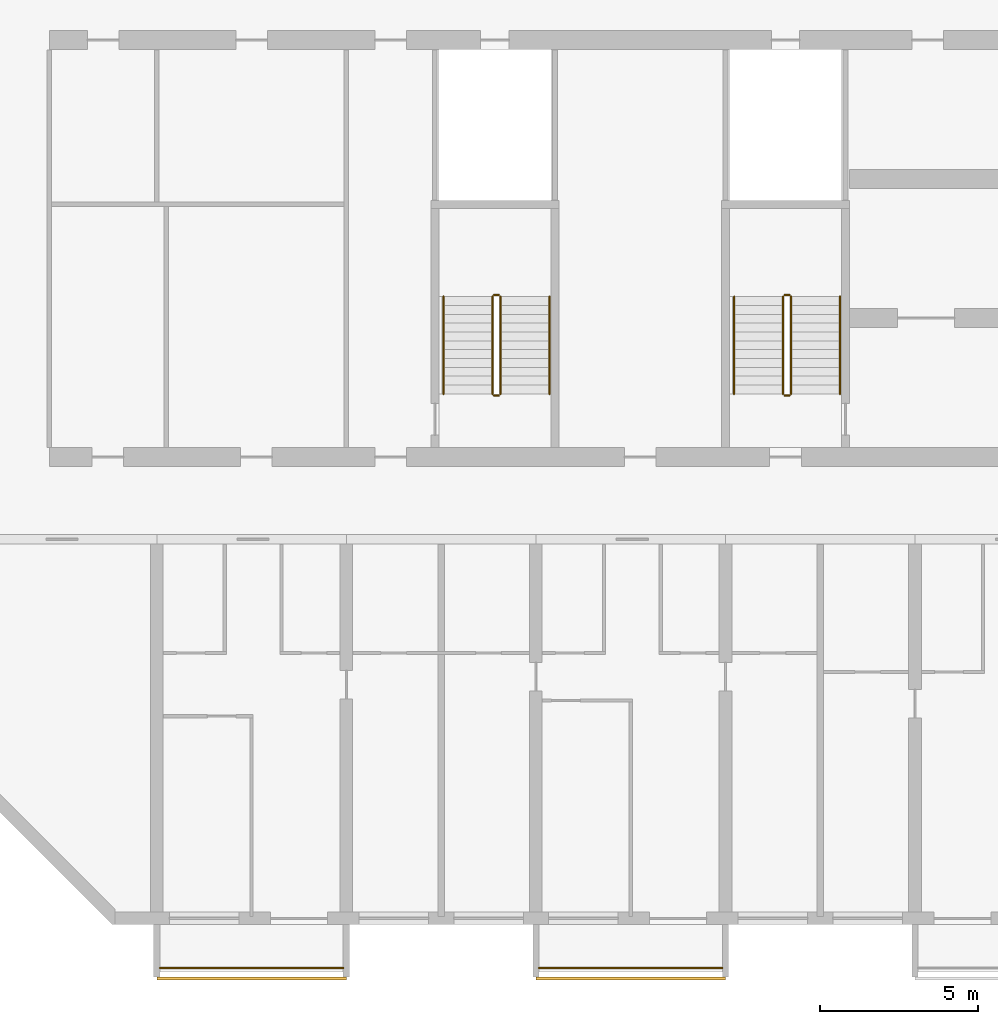
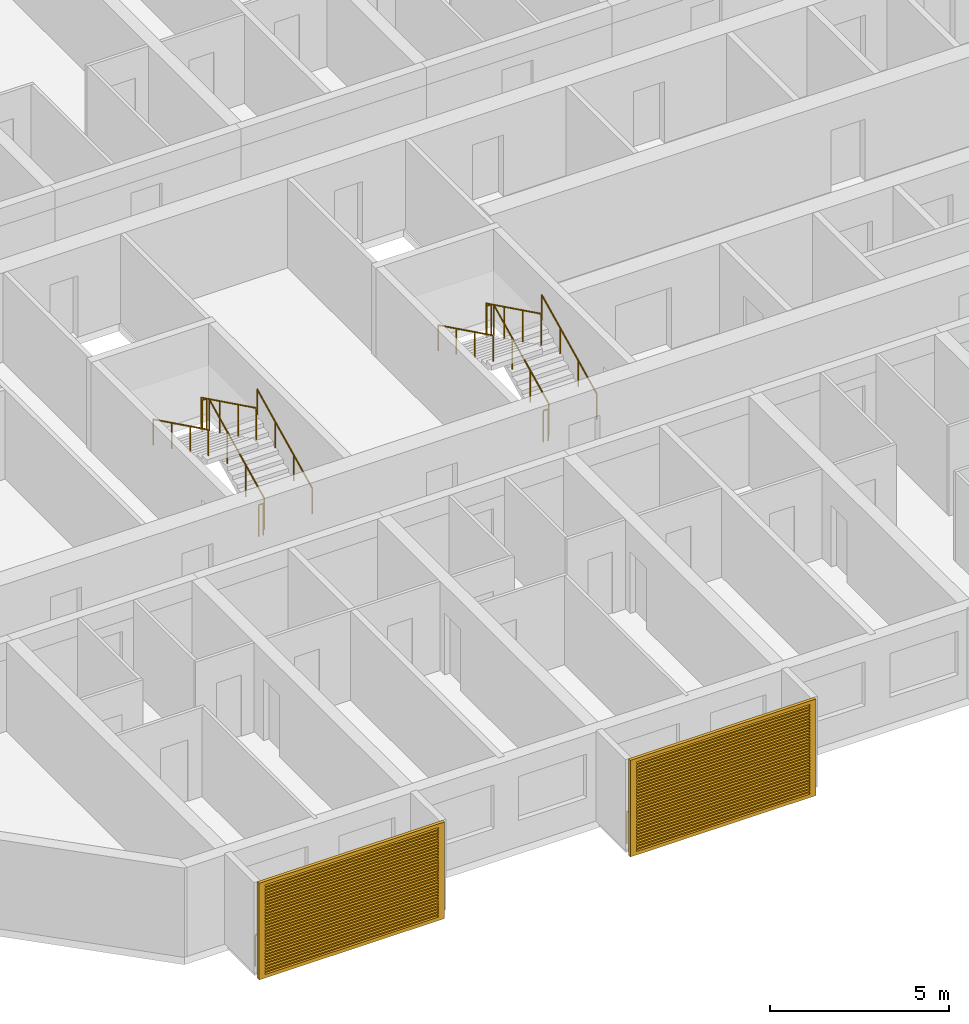
# One storey, part 18 of 39: 14 railings, 2 shading devices.
"""IFC4 building model written with IfcOpenShell, lengths in metres."""

from ifc_helpers import new_model, si_unit, direction, frame, origin, origin_2d, place, context, subcontext, project, spatial, polyline, circle, outline, extrude, source, transform, mapped, material, material_profile, profile_set, type_object, element, save


model = new_model("IFC4")

# Units and contexts
model_context = context("Model", 3, precision=1e-05, world=origin(), true_north=direction((0.0, 1.0)))
body_context = subcontext(model_context, "Body", "Model", "MODEL_VIEW")
ifc_project = project(units=[si_unit("LENGTHUNIT", "METRE"), si_unit("AREAUNIT", "SQUARE_METRE"), si_unit("VOLUMEUNIT", "CUBIC_METRE"), si_unit("PLANEANGLEUNIT", "RADIAN"), si_unit("MASSUNIT", "GRAM", prefix="KILO")], contexts=[model_context])

# Site, building, storey
site_placement = place(None, origin())
site = spatial("IfcSite", under=ifc_project, at=site_placement, CompositionType="ELEMENT")
building_placement = place(site_placement, origin())
building = spatial("IfcBuilding", under=site, at=building_placement, Name="Poui Terraces", CompositionType="ELEMENT")
storey_placement = place(building_placement, frame((0.0, 0.0, 56.39990234375)))
storey = spatial("IfcBuildingStorey", under=building, at=storey_placement, Name="L15", CompositionType="ELEMENT", Elevation=56.39990234375)

# Railings
ifc_material_1 = material(Name="Painted steel fretwork", Category="steel")
railing_type_1 = type_object("IfcRailingType", Name="BALCONY GUARD 1100", PredefinedType="GUARDRAIL", material=ifc_material_1)
for number, where, name in (
    (1, (12.10009765625, -1.570068359375, 0.0), "BALCONY GUARD"),
    (2, (24.10009765625, -1.570068359375, 0.0), "BALCONY GUARD"),
):
    element("IfcRailing", number, at=place(storey_placement, frame(where)), inside=storey, type_object=railing_type_1, Name=name, PredefinedType="GUARDRAIL", context=body_context, shape_type="SweptSolid", body=[
        extrude(circle(Radius=0.02392578125, at=origin_2d()), frame((0.0, 0.0, 1.076171875), z_axis=(1.0, 0.0, 0.0), x_axis=(0.0, 1.0, 0.0)), (0.0, 0.0, 1.0), 5.7998046875),
        extrude(circle(Radius=0.02099609375, at=origin_2d()), origin(), (0.0, 0.0, 1.0), 1.052001953125),
        extrude(circle(Radius=0.02099609375, at=origin_2d()), frame((0.966552734375, 0.0, 0.0)), (0.0, 0.0, 1.0), 1.052001953125),
        extrude(circle(Radius=0.02099609375, at=origin_2d()), frame((1.933349609375, 0.0, 0.0)), (0.0, 0.0, 1.0), 1.052001953125),
        extrude(circle(Radius=0.02099609375, at=origin_2d()), frame((2.89990234375, 0.0, 0.0)), (0.0, 0.0, 1.0), 1.052001953125),
        extrude(circle(Radius=0.02099609375, at=origin_2d()), frame((3.866455078125, 0.0, 0.0)), (0.0, 0.0, 1.0), 1.052001953125),
        extrude(circle(Radius=0.02099609375, at=origin_2d()), frame((4.833251953125, 0.0, 0.0)), (0.0, 0.0, 1.0), 1.052001953125),
        extrude(circle(Radius=0.02099609375, at=origin_2d()), frame((5.7998046875, 0.0, 0.0)), (0.0, 0.0, 1.0), 1.052001953125),
    ])
ifc_material_2 = material(Name="Galvanised steel balustrade", Category="steel")
railing_type_2 = type_object("IfcRailingType", Name="STAIR GUARD 1100", PredefinedType="GUARDRAIL", material=ifc_material_2)
railing_1_placement = place(storey_placement, frame((32.074951171875, 16.60009765625, 0.1376953125)))
element("IfcRailing", 3, at=railing_1_placement, inside=storey, type_object=railing_type_2, Name="L15 ST-CW stair guard 1", PredefinedType="GUARDRAIL", context=body_context, shape_type="SweptSolid", body=[
    extrude(circle(Radius=0.02392578125, at=origin_2d()), frame((0.0, 0.0, 1.076171875), z_axis=(0.0, 0.897606190399, 0.440798283751), x_axis=(-1.0, 0.0, 0.0)), (0.0, 0.0, 1.0), 3.43115234375),
    extrude(circle(Radius=0.02099609375, at=origin_2d()), origin(), (0.0, 0.0, 1.0), 1.052001953125),
    extrude(circle(Radius=0.02099609375, at=origin_2d()), frame((0.0, 1.026611328125, 0.504150390625)), (0.0, 0.0, 1.0), 1.052001953125),
    extrude(circle(Radius=0.02099609375, at=origin_2d()), frame((0.0, 2.05322265625, 1.00830078125)), (0.0, 0.0, 1.0), 1.052001953125),
    extrude(circle(Radius=0.02099609375, at=origin_2d()), frame((0.0, 3.079833984375, 1.512451171875)), (0.0, 0.0, 1.0), 1.052001953125),
])
railing_2_placement = place(storey_placement, frame((32.02490234375, 19.72998046875, 1.650146484375)))
element("IfcRailing", 4, at=railing_2_placement, inside=storey, type_object=railing_type_2, Name="L15 ST-CW stair guard 2", PredefinedType="GUARDRAIL", context=body_context, shape_type="SweptSolid", body=[
    extrude(circle(Radius=0.02392578125, at=origin_2d()), frame((0.0, 0.0, 1.076171875), z_axis=(-1.0, 0.0, 0.0), x_axis=(0.0, -1.0, 0.0)), (0.0, 0.0, 1.0), 0.14990234375),
    extrude(circle(Radius=0.02099609375, at=origin_2d()), origin(), (0.0, 0.0, 1.0), 1.052001953125),
    extrude(circle(Radius=0.02099609375, at=origin_2d()), frame((-0.14990234375, 0.0, 0.0)), (0.0, 0.0, 1.0), 1.052001953125),
])
railing_3_placement = place(storey_placement, frame((31.824951171875, 19.679931640625, 1.78759765625)))
element("IfcRailing", 5, at=railing_3_placement, inside=storey, type_object=railing_type_2, Name="L15 ST-CW stair guard 3", PredefinedType="GUARDRAIL", context=body_context, shape_type="SweptSolid", body=[
    extrude(circle(Radius=0.02392578125, at=origin_2d()), frame((0.0, 0.0, 1.076171875), z_axis=(0.0, -0.897606190399, 0.440798283751), x_axis=(1.0, 0.0, 0.0)), (0.0, 0.0, 1.0), 3.43115234375),
    extrude(circle(Radius=0.02099609375, at=origin_2d()), origin(), (0.0, 0.0, 1.0), 1.052001953125),
    extrude(circle(Radius=0.02099609375, at=origin_2d()), frame((0.0, -1.026611328125, 0.504150390625)), (0.0, 0.0, 1.0), 1.052001953125),
    extrude(circle(Radius=0.02099609375, at=origin_2d()), frame((0.0, -2.05322265625, 1.00830078125)), (0.0, 0.0, 1.0), 1.052001953125),
    extrude(circle(Radius=0.02099609375, at=origin_2d()), frame((0.0, -3.079833984375, 1.512451171875)), (0.0, 0.0, 1.0), 1.052001953125),
])
railing_4_placement = place(storey_placement, frame((32.02490234375, 16.550048828125, 0.0)))
element("IfcRailing", 6, at=railing_4_placement, inside=storey, type_object=railing_type_2, Name="L15 ST-CW stair guard 4", PredefinedType="GUARDRAIL", context=body_context, shape_type="SweptSolid", body=[
    extrude(circle(Radius=0.02392578125, at=origin_2d()), frame((0.0, 0.0, 1.076171875), z_axis=(-1.0, 0.0, 0.0), x_axis=(0.0, -1.0, 0.0)), (0.0, 0.0, 1.0), 0.14990234375),
    extrude(circle(Radius=0.02099609375, at=origin_2d()), origin(), (0.0, 0.0, 1.0), 1.052001953125),
    extrude(circle(Radius=0.02099609375, at=origin_2d()), frame((-0.14990234375, 0.0, 0.0)), (0.0, 0.0, 1.0), 1.052001953125),
])
railing_5_placement = place(storey_placement, frame((22.875, 16.60009765625, 0.1376953125)))
element("IfcRailing", 7, at=railing_5_placement, inside=storey, type_object=railing_type_2, Name="L15 ST-W stair guard 1", PredefinedType="GUARDRAIL", context=body_context, shape_type="SweptSolid", body=[
    extrude(circle(Radius=0.02392578125, at=origin_2d()), frame((0.0, 0.0, 1.076171875), z_axis=(0.0, 0.897606190399, 0.440798283751), x_axis=(-1.0, 0.0, 0.0)), (0.0, 0.0, 1.0), 3.43115234375),
    extrude(circle(Radius=0.02099609375, at=origin_2d()), origin(), (0.0, 0.0, 1.0), 1.052001953125),
    extrude(circle(Radius=0.02099609375, at=origin_2d()), frame((0.0, 1.026611328125, 0.504150390625)), (0.0, 0.0, 1.0), 1.052001953125),
    extrude(circle(Radius=0.02099609375, at=origin_2d()), frame((0.0, 2.05322265625, 1.00830078125)), (0.0, 0.0, 1.0), 1.052001953125),
    extrude(circle(Radius=0.02099609375, at=origin_2d()), frame((0.0, 3.079833984375, 1.512451171875)), (0.0, 0.0, 1.0), 1.052001953125),
])
railing_6_placement = place(storey_placement, frame((22.824951171875, 19.72998046875, 1.650146484375)))
element("IfcRailing", 8, at=railing_6_placement, inside=storey, type_object=railing_type_2, Name="L15 ST-W stair guard 2", PredefinedType="GUARDRAIL", context=body_context, shape_type="SweptSolid", body=[
    extrude(circle(Radius=0.02392578125, at=origin_2d()), frame((0.0, 0.0, 1.076171875), z_axis=(-1.0, 0.0, 0.0), x_axis=(0.0, -1.0, 0.0)), (0.0, 0.0, 1.0), 0.14990234375),
    extrude(circle(Radius=0.02099609375, at=origin_2d()), origin(), (0.0, 0.0, 1.0), 1.052001953125),
    extrude(circle(Radius=0.02099609375, at=origin_2d()), frame((-0.14990234375, 0.0, 0.0)), (0.0, 0.0, 1.0), 1.052001953125),
])
railing_7_placement = place(storey_placement, frame((22.625, 19.679931640625, 1.78759765625)))
element("IfcRailing", 9, at=railing_7_placement, inside=storey, type_object=railing_type_2, Name="L15 ST-W stair guard 3", PredefinedType="GUARDRAIL", context=body_context, shape_type="SweptSolid", body=[
    extrude(circle(Radius=0.02392578125, at=origin_2d()), frame((0.0, 0.0, 1.076171875), z_axis=(0.0, -0.897606190399, 0.440798283751), x_axis=(1.0, 0.0, 0.0)), (0.0, 0.0, 1.0), 3.43115234375),
    extrude(circle(Radius=0.02099609375, at=origin_2d()), origin(), (0.0, 0.0, 1.0), 1.052001953125),
    extrude(circle(Radius=0.02099609375, at=origin_2d()), frame((0.0, -1.026611328125, 0.504150390625)), (0.0, 0.0, 1.0), 1.052001953125),
    extrude(circle(Radius=0.02099609375, at=origin_2d()), frame((0.0, -2.05322265625, 1.00830078125)), (0.0, 0.0, 1.0), 1.052001953125),
    extrude(circle(Radius=0.02099609375, at=origin_2d()), frame((0.0, -3.079833984375, 1.512451171875)), (0.0, 0.0, 1.0), 1.052001953125),
])
railing_8_placement = place(storey_placement, frame((22.824951171875, 16.550048828125, 0.0)))
element("IfcRailing", 10, at=railing_8_placement, inside=storey, type_object=railing_type_2, Name="L15 ST-W stair guard 4", PredefinedType="GUARDRAIL", context=body_context, shape_type="SweptSolid", body=[
    extrude(circle(Radius=0.02392578125, at=origin_2d()), frame((0.0, 0.0, 1.076171875), z_axis=(-1.0, 0.0, 0.0), x_axis=(0.0, -1.0, 0.0)), (0.0, 0.0, 1.0), 0.14990234375),
    extrude(circle(Radius=0.02099609375, at=origin_2d()), origin(), (0.0, 0.0, 1.0), 1.052001953125),
    extrude(circle(Radius=0.02099609375, at=origin_2d()), frame((-0.14990234375, 0.0, 0.0)), (0.0, 0.0, 1.0), 1.052001953125),
])
ifc_material_3 = material(Name="Stainless steel handrail", Category="steel")
railing_type_3 = type_object("IfcRailingType", Name="STAIR HANDRAIL 900", PredefinedType="HANDRAIL", material=ifc_material_3)
railing_9_placement = place(storey_placement, frame((33.625, 16.60009765625, 0.1376953125)))
element("IfcRailing", 11, at=railing_9_placement, inside=storey, type_object=railing_type_3, Name="L15 ST-CW stair handrail 1", PredefinedType="HANDRAIL", context=body_context, shape_type="SweptSolid", body=[
    extrude(circle(Radius=0.02392578125, at=origin_2d()), frame((0.0, 0.0, 0.8759765625), z_axis=(0.0, 0.897606190399, 0.440798283751), x_axis=(-1.0, 0.0, 0.0)), (0.0, 0.0, 1.0), 3.43115234375),
    extrude(circle(Radius=0.02099609375, at=origin_2d()), origin(), (0.0, 0.0, 1.0), 0.851806640625),
    extrude(circle(Radius=0.02099609375, at=origin_2d()), frame((0.0, 1.026611328125, 0.504150390625)), (0.0, 0.0, 1.0), 0.851806640625),
    extrude(circle(Radius=0.02099609375, at=origin_2d()), frame((0.0, 2.05322265625, 1.00830078125)), (0.0, 0.0, 1.0), 0.851806640625),
    extrude(circle(Radius=0.02099609375, at=origin_2d()), frame((0.0, 3.079833984375, 1.512451171875)), (0.0, 0.0, 1.0), 0.851806640625),
])
railing_10_placement = place(storey_placement, frame((30.27490234375, 19.679931640625, 1.78759765625)))
element("IfcRailing", 12, at=railing_10_placement, inside=storey, type_object=railing_type_3, Name="L15 ST-CW stair handrail 2", PredefinedType="HANDRAIL", context=body_context, shape_type="SweptSolid", body=[
    extrude(circle(Radius=0.02392578125, at=origin_2d()), frame((0.0, 0.0, 0.8759765625), z_axis=(0.0, -0.897606190399, 0.440798283751), x_axis=(1.0, 0.0, 0.0)), (0.0, 0.0, 1.0), 3.43115234375),
    extrude(circle(Radius=0.02099609375, at=origin_2d()), origin(), (0.0, 0.0, 1.0), 0.851806640625),
    extrude(circle(Radius=0.02099609375, at=origin_2d()), frame((0.0, -1.026611328125, 0.504150390625)), (0.0, 0.0, 1.0), 0.851806640625),
    extrude(circle(Radius=0.02099609375, at=origin_2d()), frame((0.0, -2.05322265625, 1.00830078125)), (0.0, 0.0, 1.0), 0.851806640625),
    extrude(circle(Radius=0.02099609375, at=origin_2d()), frame((0.0, -3.079833984375, 1.512451171875)), (0.0, 0.0, 1.0), 0.851806640625),
])
railing_11_placement = place(storey_placement, frame((24.425048828125, 16.60009765625, 0.1376953125)))
element("IfcRailing", 13, at=railing_11_placement, inside=storey, type_object=railing_type_3, Name="L15 ST-W stair handrail 1", PredefinedType="HANDRAIL", context=body_context, shape_type="SweptSolid", body=[
    extrude(circle(Radius=0.02392578125, at=origin_2d()), frame((0.0, 0.0, 0.8759765625), z_axis=(0.0, 0.897606190399, 0.440798283751), x_axis=(-1.0, 0.0, 0.0)), (0.0, 0.0, 1.0), 3.43115234375),
    extrude(circle(Radius=0.02099609375, at=origin_2d()), origin(), (0.0, 0.0, 1.0), 0.851806640625),
    extrude(circle(Radius=0.02099609375, at=origin_2d()), frame((0.0, 1.026611328125, 0.504150390625)), (0.0, 0.0, 1.0), 0.851806640625),
    extrude(circle(Radius=0.02099609375, at=origin_2d()), frame((0.0, 2.05322265625, 1.00830078125)), (0.0, 0.0, 1.0), 0.851806640625),
    extrude(circle(Radius=0.02099609375, at=origin_2d()), frame((0.0, 3.079833984375, 1.512451171875)), (0.0, 0.0, 1.0), 0.851806640625),
])
railing_12_placement = place(storey_placement, frame((21.074951171875, 19.679931640625, 1.78759765625)))
element("IfcRailing", 14, at=railing_12_placement, inside=storey, type_object=railing_type_3, Name="L15 ST-W stair handrail 2", PredefinedType="HANDRAIL", context=body_context, shape_type="SweptSolid", body=[
    extrude(circle(Radius=0.02392578125, at=origin_2d()), frame((0.0, 0.0, 0.8759765625), z_axis=(0.0, -0.897606190399, 0.440798283751), x_axis=(1.0, 0.0, 0.0)), (0.0, 0.0, 1.0), 3.43115234375),
    extrude(circle(Radius=0.02099609375, at=origin_2d()), origin(), (0.0, 0.0, 1.0), 0.851806640625),
    extrude(circle(Radius=0.02099609375, at=origin_2d()), frame((0.0, -1.026611328125, 0.504150390625)), (0.0, 0.0, 1.0), 0.851806640625),
    extrude(circle(Radius=0.02099609375, at=origin_2d()), frame((0.0, -2.05322265625, 1.00830078125)), (0.0, 0.0, 1.0), 0.851806640625),
    extrude(circle(Radius=0.02099609375, at=origin_2d()), frame((0.0, -3.079833984375, 1.512451171875)), (0.0, 0.0, 1.0), 0.851806640625),
])

# Shading devices
ifc_material_4 = material(Name="Aluminium louvre", Category="aluminium")
ifc_material_profile = material_profile(ifc_material_4, outline(polyline([(-3.0, -1.64990234375), (3.0, -1.64990234375), (3.0, 1.64990234375), (-3.0, 1.64990234375), (-3.0, -1.64990234375)]), holes=[polyline([(-2.800048828125, -1.530029296875), (2.800048828125, -1.530029296875), (2.800048828125, -1.469970703125), (-2.800048828125, -1.469970703125), (-2.800048828125, -1.530029296875)]), polyline([(-2.800048828125, -1.429931640625), (2.800048828125, -1.429931640625), (2.800048828125, -1.3701171875), (-2.800048828125, -1.3701171875), (-2.800048828125, -1.429931640625)]), polyline([(-2.800048828125, -1.330078125), (2.800048828125, -1.330078125), (2.800048828125, -1.27001953125), (-2.800048828125, -1.27001953125), (-2.800048828125, -1.330078125)]), polyline([(-2.800048828125, -1.22998046875), (2.800048828125, -1.22998046875), (2.800048828125, -1.169921875), (-2.800048828125, -1.169921875), (-2.800048828125, -1.22998046875)]), polyline([(-2.800048828125, -1.1298828125), (2.800048828125, -1.1298828125), (2.800048828125, -1.070068359375), (-2.800048828125, -1.070068359375), (-2.800048828125, -1.1298828125)]), polyline([(-2.800048828125, -1.030029296875), (2.800048828125, -1.030029296875), (2.800048828125, -0.969970703125), (-2.800048828125, -0.969970703125), (-2.800048828125, -1.030029296875)]), polyline([(-2.800048828125, -0.929931640625), (2.800048828125, -0.929931640625), (2.800048828125, -0.8701171875), (-2.800048828125, -0.8701171875), (-2.800048828125, -0.929931640625)]), polyline([(-2.800048828125, -0.830078125), (2.800048828125, -0.830078125), (2.800048828125, -0.77001953125), (-2.800048828125, -0.77001953125), (-2.800048828125, -0.830078125)]), polyline([(-2.800048828125, -0.72998046875), (2.800048828125, -0.72998046875), (2.800048828125, -0.669921875), (-2.800048828125, -0.669921875), (-2.800048828125, -0.72998046875)]), polyline([(-2.800048828125, -0.6298828125), (2.800048828125, -0.6298828125), (2.800048828125, -0.570068359375), (-2.800048828125, -0.570068359375), (-2.800048828125, -0.6298828125)]), polyline([(-2.800048828125, -0.530029296875), (2.800048828125, -0.530029296875), (2.800048828125, -0.469970703125), (-2.800048828125, -0.469970703125), (-2.800048828125, -0.530029296875)]), polyline([(-2.800048828125, -0.429931640625), (2.800048828125, -0.429931640625), (2.800048828125, -0.3701171875), (-2.800048828125, -0.3701171875), (-2.800048828125, -0.429931640625)]), polyline([(-2.800048828125, -0.330078125), (2.800048828125, -0.330078125), (2.800048828125, -0.27001953125), (-2.800048828125, -0.27001953125), (-2.800048828125, -0.330078125)]), polyline([(-2.800048828125, -0.22998046875), (2.800048828125, -0.22998046875), (2.800048828125, -0.169921875), (-2.800048828125, -0.169921875), (-2.800048828125, -0.22998046875)]), polyline([(-2.800048828125, -0.1298828125), (2.800048828125, -0.1298828125), (2.800048828125, -0.070068359375), (-2.800048828125, -0.070068359375), (-2.800048828125, -0.1298828125)]), polyline([(-2.800048828125, -0.030029296875), (2.800048828125, -0.030029296875), (2.800048828125, 0.030029296875), (-2.800048828125, 0.030029296875), (-2.800048828125, -0.030029296875)]), polyline([(-2.800048828125, 0.070068359375), (2.800048828125, 0.070068359375), (2.800048828125, 0.1298828125), (-2.800048828125, 0.1298828125), (-2.800048828125, 0.070068359375)]), polyline([(-2.800048828125, 0.169921875), (2.800048828125, 0.169921875), (2.800048828125, 0.22998046875), (-2.800048828125, 0.22998046875), (-2.800048828125, 0.169921875)]), polyline([(-2.800048828125, 0.27001953125), (2.800048828125, 0.27001953125), (2.800048828125, 0.330078125), (-2.800048828125, 0.330078125), (-2.800048828125, 0.27001953125)]), polyline([(-2.800048828125, 0.3701171875), (2.800048828125, 0.3701171875), (2.800048828125, 0.429931640625), (-2.800048828125, 0.429931640625), (-2.800048828125, 0.3701171875)]), polyline([(-2.800048828125, 0.469970703125), (2.800048828125, 0.469970703125), (2.800048828125, 0.530029296875), (-2.800048828125, 0.530029296875), (-2.800048828125, 0.469970703125)]), polyline([(-2.800048828125, 0.570068359375), (2.800048828125, 0.570068359375), (2.800048828125, 0.6298828125), (-2.800048828125, 0.6298828125), (-2.800048828125, 0.570068359375)]), polyline([(-2.800048828125, 0.669921875), (2.800048828125, 0.669921875), (2.800048828125, 0.72998046875), (-2.800048828125, 0.72998046875), (-2.800048828125, 0.669921875)]), polyline([(-2.800048828125, 0.77001953125), (2.800048828125, 0.77001953125), (2.800048828125, 0.830078125), (-2.800048828125, 0.830078125), (-2.800048828125, 0.77001953125)]), polyline([(-2.800048828125, 0.8701171875), (2.800048828125, 0.8701171875), (2.800048828125, 0.929931640625), (-2.800048828125, 0.929931640625), (-2.800048828125, 0.8701171875)]), polyline([(-2.800048828125, 0.969970703125), (2.800048828125, 0.969970703125), (2.800048828125, 1.030029296875), (-2.800048828125, 1.030029296875), (-2.800048828125, 0.969970703125)]), polyline([(-2.800048828125, 1.070068359375), (2.800048828125, 1.070068359375), (2.800048828125, 1.1298828125), (-2.800048828125, 1.1298828125), (-2.800048828125, 1.070068359375)]), polyline([(-2.800048828125, 1.169921875), (2.800048828125, 1.169921875), (2.800048828125, 1.22998046875), (-2.800048828125, 1.22998046875), (-2.800048828125, 1.169921875)]), polyline([(-2.800048828125, 1.27001953125), (2.800048828125, 1.27001953125), (2.800048828125, 1.330078125), (-2.800048828125, 1.330078125), (-2.800048828125, 1.27001953125)]), polyline([(-2.800048828125, 1.3701171875), (2.800048828125, 1.3701171875), (2.800048828125, 1.429931640625), (-2.800048828125, 1.429931640625), (-2.800048828125, 1.3701171875)]), polyline([(-2.800048828125, 1.469970703125), (2.800048828125, 1.469970703125), (2.800048828125, 1.530029296875), (-2.800048828125, 1.530029296875), (-2.800048828125, 1.469970703125)])]), Name="JALOUSIE LOUVRE SHUTTER 6000X3300")
ifc_profile_set = profile_set([ifc_material_profile], Name="Aluminium louvre")
shading_device_type = type_object("IfcShadingDeviceType", Name="JALOUSIE LOUVRE SHUTTER 6000X3300", PredefinedType="JALOUSIE", material=ifc_profile_set)
shared_shape = source(origin(), body_context, "Body", "SweptSolid", [
    extrude(outline(polyline([(-3.0, -1.64990234375), (3.0, -1.64990234375), (3.0, 1.64990234375), (-3.0, 1.64990234375), (-3.0, -1.64990234375)]), holes=[polyline([(-2.800048828125, -1.530029296875), (2.800048828125, -1.530029296875), (2.800048828125, -1.469970703125), (-2.800048828125, -1.469970703125), (-2.800048828125, -1.530029296875)]), polyline([(-2.800048828125, -1.429931640625), (2.800048828125, -1.429931640625), (2.800048828125, -1.3701171875), (-2.800048828125, -1.3701171875), (-2.800048828125, -1.429931640625)]), polyline([(-2.800048828125, -1.330078125), (2.800048828125, -1.330078125), (2.800048828125, -1.27001953125), (-2.800048828125, -1.27001953125), (-2.800048828125, -1.330078125)]), polyline([(-2.800048828125, -1.22998046875), (2.800048828125, -1.22998046875), (2.800048828125, -1.169921875), (-2.800048828125, -1.169921875), (-2.800048828125, -1.22998046875)]), polyline([(-2.800048828125, -1.1298828125), (2.800048828125, -1.1298828125), (2.800048828125, -1.070068359375), (-2.800048828125, -1.070068359375), (-2.800048828125, -1.1298828125)]), polyline([(-2.800048828125, -1.030029296875), (2.800048828125, -1.030029296875), (2.800048828125, -0.969970703125), (-2.800048828125, -0.969970703125), (-2.800048828125, -1.030029296875)]), polyline([(-2.800048828125, -0.929931640625), (2.800048828125, -0.929931640625), (2.800048828125, -0.8701171875), (-2.800048828125, -0.8701171875), (-2.800048828125, -0.929931640625)]), polyline([(-2.800048828125, -0.830078125), (2.800048828125, -0.830078125), (2.800048828125, -0.77001953125), (-2.800048828125, -0.77001953125), (-2.800048828125, -0.830078125)]), polyline([(-2.800048828125, -0.72998046875), (2.800048828125, -0.72998046875), (2.800048828125, -0.669921875), (-2.800048828125, -0.669921875), (-2.800048828125, -0.72998046875)]), polyline([(-2.800048828125, -0.6298828125), (2.800048828125, -0.6298828125), (2.800048828125, -0.570068359375), (-2.800048828125, -0.570068359375), (-2.800048828125, -0.6298828125)]), polyline([(-2.800048828125, -0.530029296875), (2.800048828125, -0.530029296875), (2.800048828125, -0.469970703125), (-2.800048828125, -0.469970703125), (-2.800048828125, -0.530029296875)]), polyline([(-2.800048828125, -0.429931640625), (2.800048828125, -0.429931640625), (2.800048828125, -0.3701171875), (-2.800048828125, -0.3701171875), (-2.800048828125, -0.429931640625)]), polyline([(-2.800048828125, -0.330078125), (2.800048828125, -0.330078125), (2.800048828125, -0.27001953125), (-2.800048828125, -0.27001953125), (-2.800048828125, -0.330078125)]), polyline([(-2.800048828125, -0.22998046875), (2.800048828125, -0.22998046875), (2.800048828125, -0.169921875), (-2.800048828125, -0.169921875), (-2.800048828125, -0.22998046875)]), polyline([(-2.800048828125, -0.1298828125), (2.800048828125, -0.1298828125), (2.800048828125, -0.070068359375), (-2.800048828125, -0.070068359375), (-2.800048828125, -0.1298828125)]), polyline([(-2.800048828125, -0.030029296875), (2.800048828125, -0.030029296875), (2.800048828125, 0.030029296875), (-2.800048828125, 0.030029296875), (-2.800048828125, -0.030029296875)]), polyline([(-2.800048828125, 0.070068359375), (2.800048828125, 0.070068359375), (2.800048828125, 0.1298828125), (-2.800048828125, 0.1298828125), (-2.800048828125, 0.070068359375)]), polyline([(-2.800048828125, 0.169921875), (2.800048828125, 0.169921875), (2.800048828125, 0.22998046875), (-2.800048828125, 0.22998046875), (-2.800048828125, 0.169921875)]), polyline([(-2.800048828125, 0.27001953125), (2.800048828125, 0.27001953125), (2.800048828125, 0.330078125), (-2.800048828125, 0.330078125), (-2.800048828125, 0.27001953125)]), polyline([(-2.800048828125, 0.3701171875), (2.800048828125, 0.3701171875), (2.800048828125, 0.429931640625), (-2.800048828125, 0.429931640625), (-2.800048828125, 0.3701171875)]), polyline([(-2.800048828125, 0.469970703125), (2.800048828125, 0.469970703125), (2.800048828125, 0.530029296875), (-2.800048828125, 0.530029296875), (-2.800048828125, 0.469970703125)]), polyline([(-2.800048828125, 0.570068359375), (2.800048828125, 0.570068359375), (2.800048828125, 0.6298828125), (-2.800048828125, 0.6298828125), (-2.800048828125, 0.570068359375)]), polyline([(-2.800048828125, 0.669921875), (2.800048828125, 0.669921875), (2.800048828125, 0.72998046875), (-2.800048828125, 0.72998046875), (-2.800048828125, 0.669921875)]), polyline([(-2.800048828125, 0.77001953125), (2.800048828125, 0.77001953125), (2.800048828125, 0.830078125), (-2.800048828125, 0.830078125), (-2.800048828125, 0.77001953125)]), polyline([(-2.800048828125, 0.8701171875), (2.800048828125, 0.8701171875), (2.800048828125, 0.929931640625), (-2.800048828125, 0.929931640625), (-2.800048828125, 0.8701171875)]), polyline([(-2.800048828125, 0.969970703125), (2.800048828125, 0.969970703125), (2.800048828125, 1.030029296875), (-2.800048828125, 1.030029296875), (-2.800048828125, 0.969970703125)]), polyline([(-2.800048828125, 1.070068359375), (2.800048828125, 1.070068359375), (2.800048828125, 1.1298828125), (-2.800048828125, 1.1298828125), (-2.800048828125, 1.070068359375)]), polyline([(-2.800048828125, 1.169921875), (2.800048828125, 1.169921875), (2.800048828125, 1.22998046875), (-2.800048828125, 1.22998046875), (-2.800048828125, 1.169921875)]), polyline([(-2.800048828125, 1.27001953125), (2.800048828125, 1.27001953125), (2.800048828125, 1.330078125), (-2.800048828125, 1.330078125), (-2.800048828125, 1.27001953125)]), polyline([(-2.800048828125, 1.3701171875), (2.800048828125, 1.3701171875), (2.800048828125, 1.429931640625), (-2.800048828125, 1.429931640625), (-2.800048828125, 1.3701171875)]), polyline([(-2.800048828125, 1.469970703125), (2.800048828125, 1.469970703125), (2.800048828125, 1.530029296875), (-2.800048828125, 1.530029296875), (-2.800048828125, 1.469970703125)])]), origin(), (0.0, 0.0, 1.0), 0.099853515625),
])
for number, where, z_axis, x_axis, name in (
    (15, (15.0, -1.85009765625, 1.4501953125), (0.0, -1.0, 0.0), (1.0, 0.0, 0.0), "JALOUSIE LOUVRE SHUTTER"),
    (16, (27.0, -1.85009765625, 1.4501953125), (0.0, -1.0, 0.0), (1.0, 0.0, 0.0), "JALOUSIE LOUVRE SHUTTER"),
):
    element("IfcShadingDevice", number, at=place(storey_placement, frame(where, z_axis=z_axis, x_axis=x_axis)), inside=storey, type_object=shading_device_type, Name=name, PredefinedType="JALOUSIE", context=body_context, shape_type="MappedRepresentation", body=[
        mapped(shared_shape, transform((0.0, 0.0, 0.0))),
    ])

save(model, "model.ifc")
